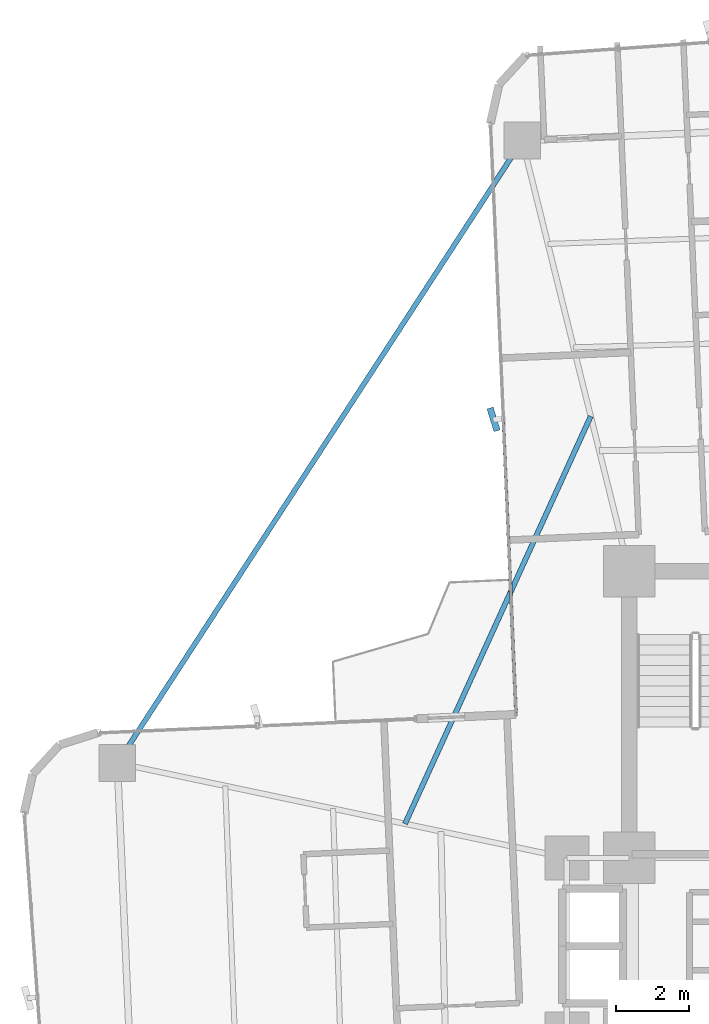
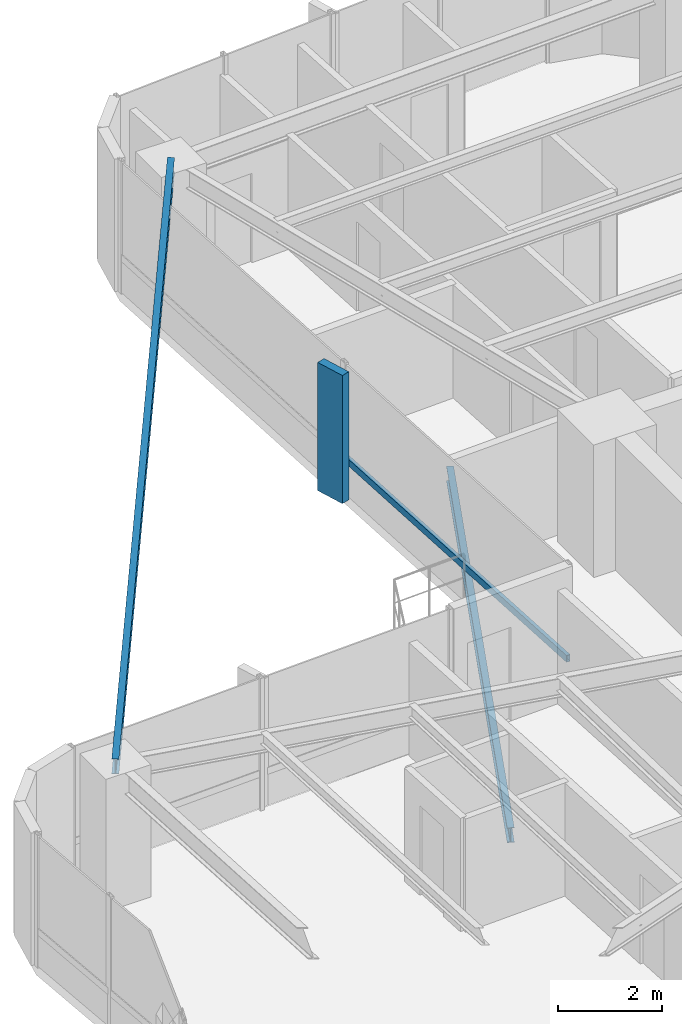
# One storey, part 16 of 26: 2 beams, 2 members, 1 element without a shape of its own.
"""IFC4 building model written with IfcOpenShell, lengths in metres."""

from ifc_helpers import new_model, si_unit, direction, frame, origin, origin_2d, place, context, subcontext, project, spatial, rectangle, hollow_rectangle, i_section, extrude, source, transform, mapped, material, material_profile, profile_set, type_object, element, aggregate, save


model = new_model("IFC4")

# Units and contexts
model_context = context("Model", 3, precision=1e-05, world=origin(), true_north=direction((0.0, 1.0)))
body_context = subcontext(model_context, "Body", "Model", "MODEL_VIEW")
ifc_project = project(units=[si_unit("LENGTHUNIT", "METRE"), si_unit("AREAUNIT", "SQUARE_METRE"), si_unit("VOLUMEUNIT", "CUBIC_METRE"), si_unit("PLANEANGLEUNIT", "RADIAN"), si_unit("MASSUNIT", "GRAM", prefix="KILO")], contexts=[model_context])

# Site, building, storey
site_placement = place(None, origin())
site = spatial("IfcSite", under=ifc_project, at=site_placement, CompositionType="ELEMENT")
building_placement = place(site_placement, origin())
building = spatial("IfcBuilding", under=site, at=building_placement, Name="Sahyath Konkavel Grand Hotel", CompositionType="ELEMENT")
storey_placement = place(building_placement, frame((0.0, 0.0, 128.199951171875)))
storey = spatial("IfcBuildingStorey", under=building, at=storey_placement, Name="L35", CompositionType="ELEMENT", Elevation=128.199951171875)

# Beam
ifc_material_1 = material(Name="Steel E350", Category="steel")
ifc_material_profile_1 = material_profile(ifc_material_1, i_section(OverallWidth=0.139892578125, OverallDepth=0.35009765625, WebThickness=0.008056640625, FlangeThickness=0.01416015625, FilletRadius=0.013916015625, at=origin_2d()), Name="ISMB 350")
ifc_profile_set_1 = profile_set([ifc_material_profile_1], Name="Steel E350")
beam_type_1 = type_object("IfcBeamType", Name="BM-ISMB350", PredefinedType="BEAM", material=ifc_profile_set_1)
shared_shape_1 = source(origin(), body_context, "Body", "SweptSolid", [
    extrude(i_section(OverallWidth=0.139892578125, OverallDepth=0.35009765625, WebThickness=0.008056640625, FlangeThickness=0.01416015625, FilletRadius=0.013916015625, at=origin_2d()), origin(), (0.0, 0.0, 1.0), 20.21533203125),
])
beam_1_placement = place(storey_placement, frame((-6.712890625, 21.927978515625, 2.93505859375), z_axis=(-0.545191244931, -0.838311700056, 0.0), x_axis=(0.838311700056, -0.545191244931, 0.0)))
element("IfcBeam", 1, at=beam_1_placement, inside=storey, type_object=beam_type_1, Name="L35 Re-Entrant Tie Beam NW", PredefinedType="BEAM", context=body_context, shape_type="MappedRepresentation", body=[
    mapped(shared_shape_1, transform((0.0, 0.0, 0.0), scale=1.0)),
])

# Curtain wall, members
ifc_material_2 = material(Name="Anodised Bronze Aluminium & Low-E Glazing", Category="aluminium")
curtain_wall_type = type_object("IfcCurtainWallType", Name="CW-ZONE2", PredefinedType="NOTDEFINED", material=ifc_material_2)
curtain_wall_placement = place(storey_placement, origin())
curtain_wall = element("IfcCurtainWall", 2, at=curtain_wall_placement, inside=storey, type_object=curtain_wall_type, Name="L35 Unitised Curtain Wall F15", PredefinedType="NOTDEFINED")
ifc_material_3 = material(Name="Warm Buff Sandstone Cladding on Concrete C50/60", Category="masonry")
ifc_material_profile_2 = material_profile(ifc_material_3, rectangle(XDim=0.179931640625, YDim=0.64990234375, at=origin_2d()), Name="FIN 180x650")
ifc_profile_set_2 = profile_set([ifc_material_profile_2], Name="Warm Buff Sandstone Cladding on Concrete C50/60")
member_type_1 = type_object("IfcMemberType", Name="FIN-SANDSTONE-650", PredefinedType="MULLION", material=ifc_profile_set_2)
shared_shape_2 = source(origin(), body_context, "Body", "SweptSolid", [
    extrude(rectangle(XDim=0.179931640625, YDim=0.64990234375, at=origin_2d()), origin(), (0.0, 0.0, 1.0), 3.010009765625),
])
member_1_placement = place(storey_placement, frame((-7.492431640625, 14.3369140625, 0.050048828125), z_axis=(0.0, 0.0, 1.0), x_axis=(0.955690317134, 0.294373942013, 0.0)))
member_1 = element("IfcMember", 3, at=member_1_placement, type_object=member_type_1, Name="L35 Sandstone Vertical Solar Fin FIN F15-1", PredefinedType="MULLION", context=body_context, shape_type="MappedRepresentation", body=[
    mapped(shared_shape_2, transform((0.0, 0.0, 0.0), scale=1.0)),
])
ifc_material_4 = material(Name="Anodised Bronze Aluminium", Category="aluminium")
ifc_material_profile_3 = material_profile(ifc_material_4, hollow_rectangle(XDim=0.080078125, YDim=0.159912109375, WallThickness=0.006103515625, at=origin_2d()), Name="RHS 160x80x6")
ifc_profile_set_3 = profile_set([ifc_material_profile_3], Name="Anodised Bronze Aluminium")
member_type_2 = type_object("IfcMemberType", Name="CW-TRN-160", PredefinedType="USERDEFINED", material=ifc_profile_set_3)
shared_shape_3 = source(origin(), body_context, "Body", "SweptSolid", [
    extrude(hollow_rectangle(XDim=0.080078125, YDim=0.159912109375, WallThickness=0.006103515625, at=origin_2d()), origin(), (0.0, 0.0, 1.0), 8.010009765625),
])
member_2_placement = place(storey_placement, frame((-7.232666015625, 14.34814453125, 0.85009765625), z_axis=(0.043615785896, -0.999048378819, 0.0), x_axis=(0.999048378819, 0.043615785896, 0.0)))
member_2 = element("IfcMember", 4, at=member_2_placement, type_object=member_type_2, Name="L35 Curtain Wall Transom F15-1-spandrel", ObjectType="TRANSOM", PredefinedType="USERDEFINED", context=body_context, shape_type="MappedRepresentation", body=[
    mapped(shared_shape_3, transform((0.0, 0.0, 0.0), scale=1.0)),
])
aggregate(curtain_wall, [member_1, member_2])

# Beam
ifc_material_profile_4 = material_profile(ifc_material_1, i_section(OverallWidth=0.139892578125, OverallDepth=0.35009765625, WebThickness=0.008056640625, FlangeThickness=0.01416015625, FilletRadius=0.013916015625, at=origin_2d()), Name="ISMB 350")
ifc_profile_set_4 = profile_set([ifc_material_profile_4], Name="Steel E350")
beam_type_2 = type_object("IfcBeamType", Name="BM-BALC-CANT", PredefinedType="BEAM", material=ifc_profile_set_4)
shared_shape_4 = source(origin(), body_context, "Body", "SweptSolid", [
    extrude(i_section(OverallWidth=0.139892578125, OverallDepth=0.35009765625, WebThickness=0.008056640625, FlangeThickness=0.01416015625, FilletRadius=0.013916015625, at=origin_2d()), origin(), (0.0, 0.0, 1.0), 12.190673828125),
])
beam_2_placement = place(storey_placement, frame((-4.8486328125, 14.422119140625, -0.4150390625), z_axis=(-0.414712580086, -0.909952458054, 0.0), x_axis=(0.909952458054, -0.414712580086, 0.0)))
element("IfcBeam", 5, at=beam_2_placement, inside=storey, type_object=beam_type_2, Name="L35 Balcony Cantilever Support Beam NW", PredefinedType="BEAM", context=body_context, shape_type="MappedRepresentation", body=[
    mapped(shared_shape_4, transform((0.0, 0.0, 0.0), scale=1.0)),
])

save(model, "model.ifc")
